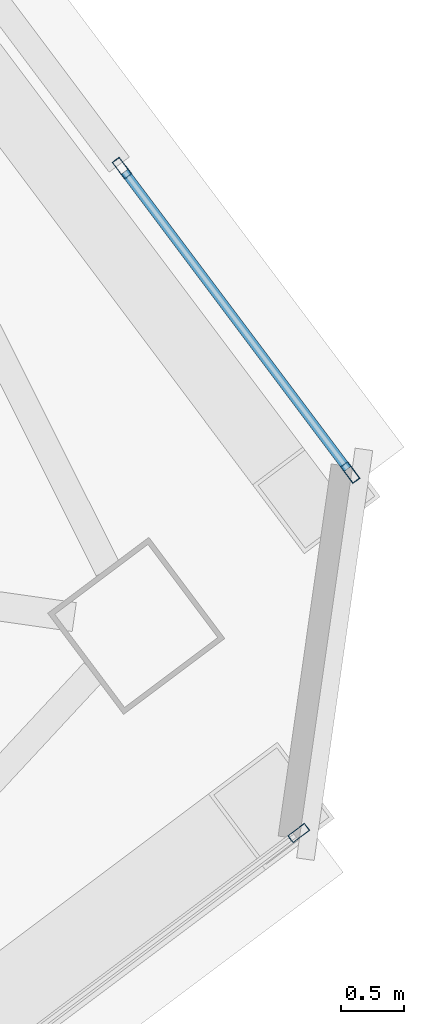
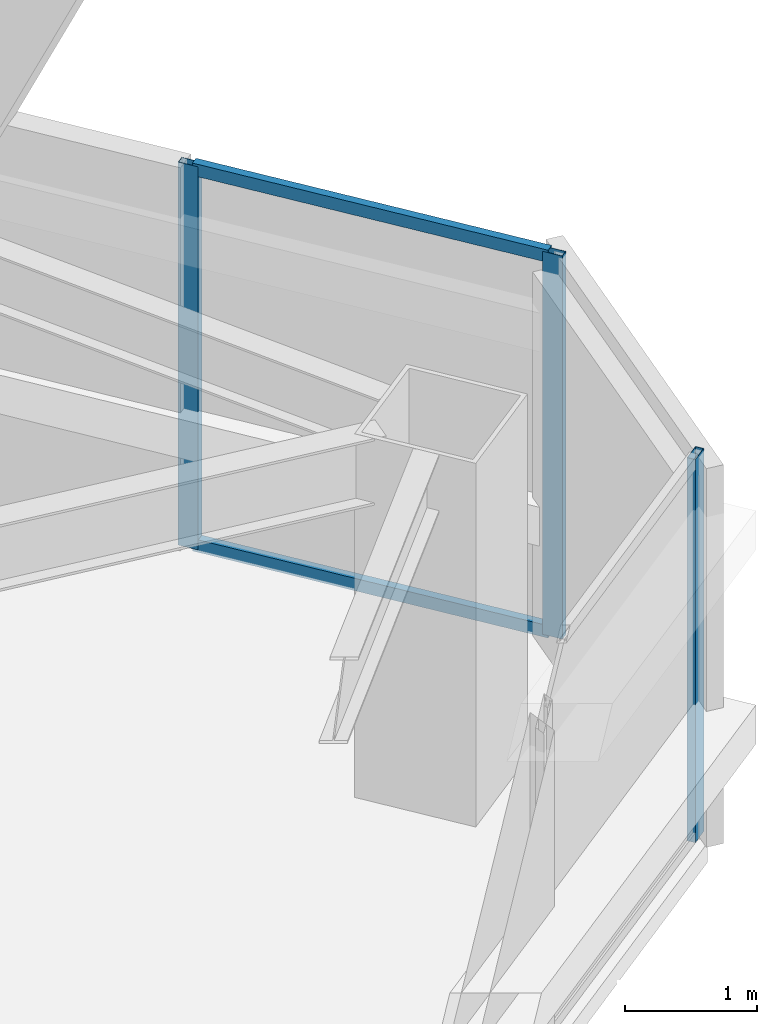
# One storey, part 39 of 56: 5 members, 2 elements without a shape of their own.
"""IFC4 building model written with IfcOpenShell, lengths in metres."""

from ifc_helpers import new_model, si_unit, direction, frame, origin, origin_2d, place, context, subcontext, project, spatial, hollow_rectangle, extrude, material, material_profile, profile_set, type_object, element, aggregate, save


model = new_model("IFC4")

# Units and contexts
model_context = context("Model", 3, precision=1e-05, world=origin(), true_north=direction((0.0, 1.0)))
body_context = subcontext(model_context, "Body", "Model", "MODEL_VIEW")
ifc_project = project(units=[si_unit("LENGTHUNIT", "METRE"), si_unit("AREAUNIT", "SQUARE_METRE"), si_unit("VOLUMEUNIT", "CUBIC_METRE"), si_unit("PLANEANGLEUNIT", "RADIAN"), si_unit("MASSUNIT", "GRAM", prefix="KILO")], contexts=[model_context])

# Site, building, storey
site_placement = place(None, origin())
site = spatial("IfcSite", under=ifc_project, at=site_placement, CompositionType="ELEMENT")
building_placement = place(site_placement, origin())
building = spatial("IfcBuilding", under=site, at=building_placement, Name="Tashvorn Skyway Center", CompositionType="ELEMENT")
storey_placement = place(building_placement, frame((0.0, 0.0, 218.39990234375)))
storey = spatial("IfcBuildingStorey", under=building, at=storey_placement, Name="L59", CompositionType="ELEMENT", Elevation=218.39990234375)

# Curtain wall, member
ifc_material = material(Name="Thermally broken bronze-anodized aluminium 6063-T6", Category="aluminium")
curtain_wall_type = type_object("IfcCurtainWallType", Name="CW-CW-Z5", PredefinedType="NOTDEFINED", material=ifc_material)
curtain_wall_1_placement = place(storey_placement, origin())
curtain_wall_1 = element("IfcCurtainWall", 1, at=curtain_wall_1_placement, inside=storey, type_object=curtain_wall_type, Name="Tower 2 L59 South Unitised Curtain Wall Glazing Group 1", PredefinedType="NOTDEFINED")
ifc_material_profile_1 = material_profile(ifc_material, hollow_rectangle(XDim=0.070068359375, YDim=0.1650390625, WallThickness=0.00390625, at=origin_2d()), Name="ALU-MULL-70x165")
ifc_profile_set_1 = profile_set([ifc_material_profile_1], Name="Thermally broken bronze-anodized aluminium 6063-T6")
member_type_1 = type_object("IfcMemberType", Name="CWM-CW-Z5", PredefinedType="MULLION", material=ifc_profile_set_1)
member_1_placement = place(storey_placement, frame((134.0439453125, 27.68310546875, 0.0), z_axis=(0.0, 0.0, 1.0), x_axis=(0.600000000002, -0.799999999998, 0.0)))
member_1 = element("IfcMember", 2, at=member_1_placement, type_object=member_type_1, Name="CW-Z5 mullion 1", PredefinedType="MULLION", context=body_context, shape_type="SweptSolid", body=[
    extrude(hollow_rectangle(XDim=0.070068359375, YDim=0.1650390625, WallThickness=0.00390625, at=origin_2d()), origin(), (0.0, 0.0, 1.0), 3.550048828125),
])
aggregate(curtain_wall_1, [member_1])

# Curtain wall, members
curtain_wall_2_placement = place(storey_placement, origin())
curtain_wall_2 = element("IfcCurtainWall", 3, at=curtain_wall_2_placement, inside=storey, type_object=curtain_wall_type, Name="Tower 2 L59 East Curtain Wall R Glazing Group 1", PredefinedType="NOTDEFINED")
member_2_placement = place(storey_placement, frame((132.64697265625, 32.937255859375, 0.0), z_axis=(0.0, 0.0, 1.0), x_axis=(0.799996099621, 0.60000520047, 0.0)))
member_2 = element("IfcMember", 4, at=member_2_placement, type_object=member_type_1, Name="CW-Z5 mullion 1", PredefinedType="MULLION", context=body_context, shape_type="SweptSolid", body=[
    extrude(hollow_rectangle(XDim=0.070068359375, YDim=0.1650390625, WallThickness=0.00390625, at=origin_2d()), origin(), (0.0, 0.0, 1.0), 3.550048828125),
])
member_3_placement = place(storey_placement, frame((134.450927734375, 30.531982421875, 0.0), z_axis=(0.0, 0.0, 1.0), x_axis=(0.799996099621, 0.60000520047, 0.0)))
member_3 = element("IfcMember", 5, at=member_3_placement, type_object=member_type_1, Name="CW-Z5 mullion 2", PredefinedType="MULLION", context=body_context, shape_type="SweptSolid", body=[
    extrude(hollow_rectangle(XDim=0.070068359375, YDim=0.1650390625, WallThickness=0.00390625, at=origin_2d()), origin(), (0.0, 0.0, 1.0), 3.550048828125),
])
ifc_material_profile_2 = material_profile(ifc_material, hollow_rectangle(XDim=0.070068359375, YDim=0.114990234375, WallThickness=0.00390625, at=origin_2d()), Name="ALU-TRAN-70x115")
ifc_profile_set_2 = profile_set([ifc_material_profile_2], Name="Thermally broken bronze-anodized aluminium 6063-T6")
member_type_2 = type_object("IfcMemberType", Name="CWT-CW-Z5", PredefinedType="USERDEFINED", material=ifc_profile_set_2)
member_4_placement = place(storey_placement, frame((132.66796875, 32.9091796875, 0.03515625), z_axis=(0.6000266047, -0.799980045784, 0.0), x_axis=(0.799980045784, 0.6000266047, 0.0)))
member_4 = element("IfcMember", 6, at=member_4_placement, type_object=member_type_2, Name="CW-Z5 transom 1.1", ObjectType="TRANSOM", PredefinedType="USERDEFINED", context=body_context, shape_type="SweptSolid", body=[
    extrude(hollow_rectangle(XDim=0.070068359375, YDim=0.114990234375, WallThickness=0.00390625, at=origin_2d()), origin(), (0.0, 0.0, 1.0), 2.9365234375),
])
member_5_placement = place(storey_placement, frame((132.66796875, 32.9091796875, 3.51513671875), z_axis=(0.6000266047, -0.799980045784, 0.0), x_axis=(0.799980045784, 0.6000266047, 0.0)))
member_5 = element("IfcMember", 7, at=member_5_placement, type_object=member_type_2, Name="CW-Z5 transom 1.2", ObjectType="TRANSOM", PredefinedType="USERDEFINED", context=body_context, shape_type="SweptSolid", body=[
    extrude(hollow_rectangle(XDim=0.070068359375, YDim=0.114990234375, WallThickness=0.00390625, at=origin_2d()), origin(), (0.0, 0.0, 1.0), 2.9365234375),
])
aggregate(curtain_wall_2, [member_2, member_3, member_4, member_5])

save(model, "model.ifc")
